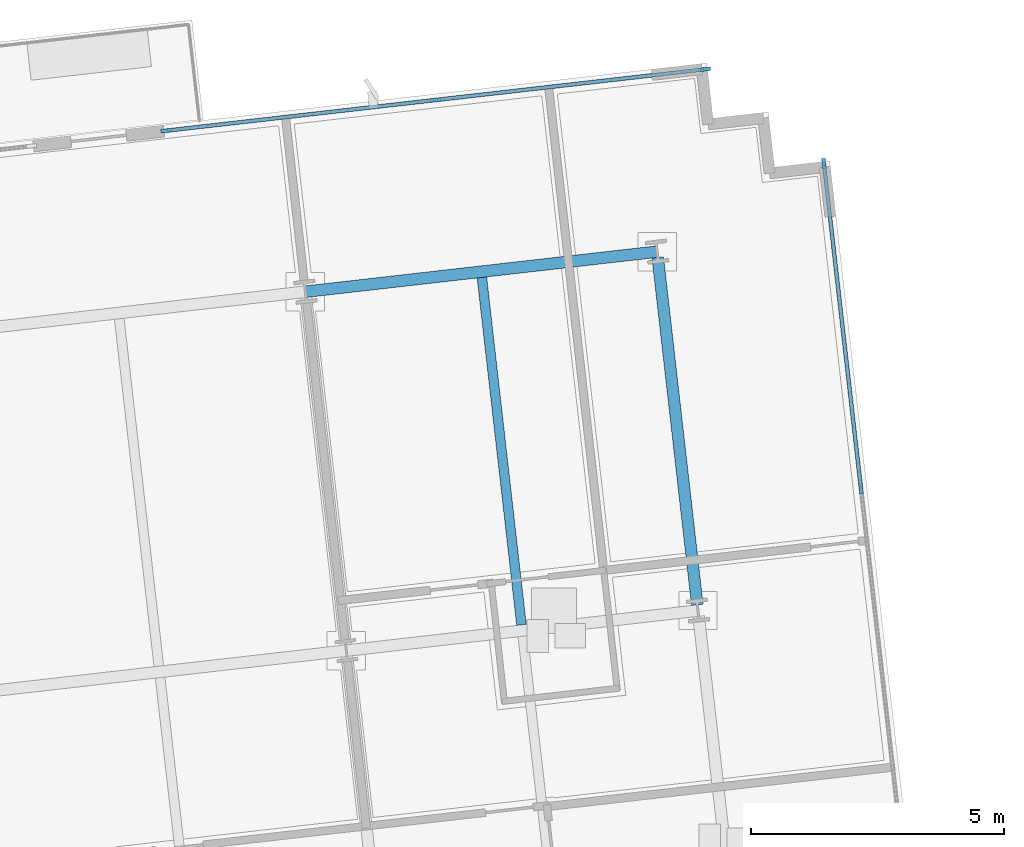
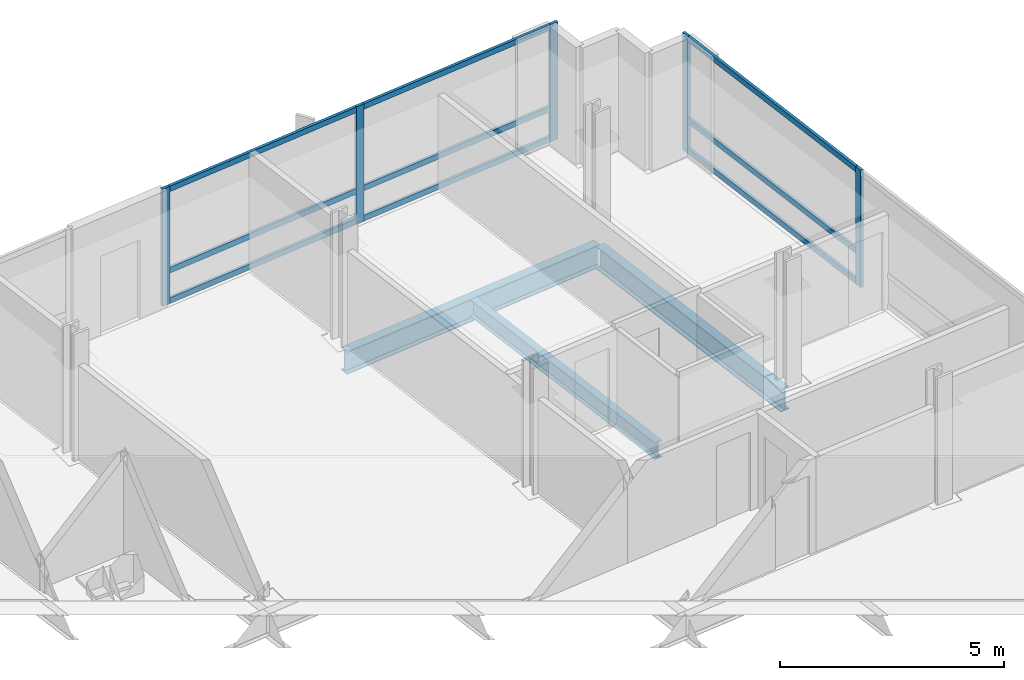
# One storey, part 6 of 16: 14 members, 3 beams, 2 elements without a shape of their own.
"""IFC4 building model written with IfcOpenShell, lengths in metres."""

from ifc_helpers import new_model, si_unit, direction, frame, origin, origin_2d, place, context, subcontext, project, spatial, rectangle, i_section, extrude, material, material_profile, profile_set, type_object, element, aggregate, save


model = new_model("IFC4")

# Units and contexts
model_context = context("Model", 3, precision=1e-05, world=origin(), true_north=direction((0.0, 1.0)))
body_context = subcontext(model_context, "Body", "Model", "MODEL_VIEW")
ifc_project = project(units=[si_unit("LENGTHUNIT", "METRE"), si_unit("AREAUNIT", "SQUARE_METRE"), si_unit("VOLUMEUNIT", "CUBIC_METRE"), si_unit("PLANEANGLEUNIT", "RADIAN"), si_unit("MASSUNIT", "GRAM", prefix="KILO")], contexts=[model_context])

# Site, building, storey
site_placement = place(None, origin())
site = spatial("IfcSite", under=ifc_project, at=site_placement, CompositionType="ELEMENT")
building_placement = place(site_placement, origin())
building = spatial("IfcBuilding", under=site, at=building_placement, Name="Solmavex Isthmus Hotel", CompositionType="ELEMENT")
storey_placement = place(building_placement, frame((0.0, 0.0, 205.5)))
storey = spatial("IfcBuildingStorey", under=building, at=storey_placement, Name="L55", CompositionType="ELEMENT", Elevation=205.5)

# Beams
ifc_material_1 = material(Name="Steel ASTM A992 Grade 50", Category="steel")
ifc_material_profile_1 = material_profile(ifc_material_1, i_section(OverallWidth=0.1904296875, OverallDepth=0.456787109375, WebThickness=0.009033203125, FlangeThickness=0.014404296875, FilletRadius=0.0126953125, at=origin_2d()), Name="W18X50")
ifc_profile_set_1 = profile_set([ifc_material_profile_1], Name="Steel ASTM A992 Grade 50")
beam_type_1 = type_object("IfcBeamType", Name="BM-BJ-W18X50", PredefinedType="JOIST", material=ifc_profile_set_1)
beam_1_placement = place(storey_placement, frame((21.587646484375, 11.7939453125, -0.488525390625), z_axis=(-0.113202453846, 0.993571942258, 0.0), x_axis=(-0.993571942258, -0.113202453846, 0.0)))
element("IfcBeam", 1, at=beam_1_placement, inside=storey, type_object=beam_type_1, Name="Secondary Floor Joist L55-J21", PredefinedType="JOIST", context=body_context, shape_type="SweptSolid", body=[
    extrude(i_section(OverallWidth=0.1904296875, OverallDepth=0.456787109375, WebThickness=0.009033203125, FlangeThickness=0.014404296875, FilletRadius=0.0126953125, at=origin_2d()), origin(), (0.0, 0.0, 1.0), 6.9228515625),
])
ifc_material_profile_2 = material_profile(ifc_material_1, i_section(OverallWidth=0.230224609375, OverallDepth=0.617431640625, WebThickness=0.01318359375, FlangeThickness=0.022216796875, FilletRadius=0.01513671875, at=origin_2d()), Name="W24X94")
ifc_profile_set_2 = profile_set([ifc_material_profile_2], Name="Steel ASTM A992 Grade 50")
beam_type_2 = type_object("IfcBeamType", Name="BM-SP-W24X94", PredefinedType="SPANDREL", material=ifc_profile_set_2)
beam_2_placement = place(storey_placement, frame((17.3095703125, 18.39013671875, -0.56884765625), z_axis=(0.99357359356, 0.113187959519, 0.0), x_axis=(-0.113187959519, 0.99357359356, 0.0)))
element("IfcBeam", 2, at=beam_2_placement, inside=storey, type_object=beam_type_2, Name="Floor Girder L55-UG23", PredefinedType="SPANDREL", context=body_context, shape_type="SweptSolid", body=[
    extrude(i_section(OverallWidth=0.230224609375, OverallDepth=0.617431640625, WebThickness=0.01318359375, FlangeThickness=0.022216796875, FilletRadius=0.01513671875, at=origin_2d()), origin(), (0.0, 0.0, 1.0), 7.0078125),
])
beam_3_placement = place(storey_placement, frame((25.0693359375, 12.1904296875, -0.56884765625), z_axis=(-0.113202453846, 0.993571942258, 0.0), x_axis=(-0.993571942258, -0.113202453846, 0.0)))
element("IfcBeam", 3, at=beam_3_placement, inside=storey, type_object=beam_type_2, Name="Floor Beam L55-VG45", PredefinedType="SPANDREL", context=body_context, shape_type="SweptSolid", body=[
    extrude(i_section(OverallWidth=0.230224609375, OverallDepth=0.617431640625, WebThickness=0.01318359375, FlangeThickness=0.022216796875, FilletRadius=0.01513671875, at=origin_2d()), origin(), (0.0, 0.0, 1.0), 6.9228515625),
])

# Curtain wall, members
ifc_material_2 = material(Name="Aluminium alloy 6063-T6", Category="aluminium")
curtain_wall_type = type_object("IfcCurtainWallType", Name="CW-SYS-04", PredefinedType="NOTDEFINED", material=ifc_material_2)
curtain_wall_1_placement = place(storey_placement, origin())
curtain_wall_1 = element("IfcCurtainWall", 4, at=curtain_wall_1_placement, inside=storey, type_object=curtain_wall_type, Name="Stick Curtain Wall CWL-L55-N3", PredefinedType="NOTDEFINED")
ifc_material_profile_3 = material_profile(ifc_material_2, rectangle(XDim=0.074951171875, YDim=0.199951171875, at=origin_2d()), Name="CWM-75X200")
ifc_profile_set_3 = profile_set([ifc_material_profile_3], Name="Aluminium alloy 6063-T6")
member_type_1 = type_object("IfcMemberType", Name="CW-SYS-04-MUL", PredefinedType="MULLION", material=ifc_profile_set_3)
member_1_placement = place(storey_placement, frame((14.54541015625, 21.57763671875, 0.0), z_axis=(0.0, 0.0, 1.0), x_axis=(-0.113203726319, 0.993571797279, 0.0)))
member_1 = element("IfcMember", 5, at=member_1_placement, type_object=member_type_1, Name="CW-04 mullion 1", PredefinedType="MULLION", context=body_context, shape_type="SweptSolid", body=[
    extrude(rectangle(XDim=0.074951171875, YDim=0.199951171875, at=origin_2d()), origin(), (0.0, 0.0, 1.0), 3.18994140625),
])
member_2_placement = place(storey_placement, frame((19.888916015625, 22.1865234375, 0.0), z_axis=(0.0, 0.0, 1.0), x_axis=(-0.113203726319, 0.993571797279, 0.0)))
member_2 = element("IfcMember", 6, at=member_2_placement, type_object=member_type_1, Name="CW-04 mullion 2", PredefinedType="MULLION", context=body_context, shape_type="SweptSolid", body=[
    extrude(rectangle(XDim=0.074951171875, YDim=0.199951171875, at=origin_2d()), origin(), (0.0, 0.0, 1.0), 3.18994140625),
])
member_3_placement = place(storey_placement, frame((25.232177734375, 22.795166015625, 0.0), z_axis=(0.0, 0.0, 1.0), x_axis=(-0.113203726319, 0.993571797279, 0.0)))
member_3 = element("IfcMember", 7, at=member_3_placement, type_object=member_type_1, Name="CW-04 mullion 3", PredefinedType="MULLION", context=body_context, shape_type="SweptSolid", body=[
    extrude(rectangle(XDim=0.074951171875, YDim=0.199951171875, at=origin_2d()), origin(), (0.0, 0.0, 1.0), 3.18994140625),
])

curtain_wall_2_placement = place(storey_placement, origin())
curtain_wall_2 = element("IfcCurtainWall", 8, at=curtain_wall_2_placement, inside=storey, type_object=curtain_wall_type, Name="Stick Curtain Wall CWL-L55-E1", PredefinedType="NOTDEFINED")
member_4_placement = place(storey_placement, frame((28.309814453125, 14.490234375, 0.0), z_axis=(0.0, 0.0, 1.0), x_axis=(-0.993571836648, -0.11320338078, 0.0)))
member_4 = element("IfcMember", 9, at=member_4_placement, type_object=member_type_1, Name="CW-04 mullion 5", PredefinedType="MULLION", context=body_context, shape_type="SweptSolid", body=[
    extrude(rectangle(XDim=0.074951171875, YDim=0.199951171875, at=origin_2d()), origin(), (0.0, 0.0, 1.0), 3.18994140625),
])
member_5_placement = place(storey_placement, frame((27.575927734375, 20.93115234375, 0.0), z_axis=(0.0, 0.0, 1.0), x_axis=(-0.993571836648, -0.11320338078, 0.0)))
member_5 = element("IfcMember", 10, at=member_5_placement, type_object=member_type_1, Name="CW-04 mullion 6", PredefinedType="MULLION", context=body_context, shape_type="SweptSolid", body=[
    extrude(rectangle(XDim=0.074951171875, YDim=0.199951171875, at=origin_2d()), origin(), (0.0, 0.0, 1.0), 3.18994140625),
])

# Member
ifc_material_profile_4 = material_profile(ifc_material_2, rectangle(XDim=0.074951171875, YDim=0.14990234375, at=origin_2d()), Name="CWT-75X150")
ifc_profile_set_4 = profile_set([ifc_material_profile_4], Name="Aluminium alloy 6063-T6")
member_type_2 = type_object("IfcMemberType", Name="CW-SYS-04-TRN", PredefinedType="USERDEFINED", material=ifc_profile_set_4)
member_6_placement = place(storey_placement, frame((14.582763671875, 21.581787109375, 0.074951171875), z_axis=(0.993571049718, 0.113210287348, 0.0), x_axis=(-0.113210287348, 0.993571049718, 0.0)))
member_6 = element("IfcMember", 11, at=member_6_placement, type_object=member_type_2, Name="CW-04 transom 1.1", ObjectType="TRANSOM", PredefinedType="USERDEFINED", context=body_context, shape_type="SweptSolid", body=[
    extrude(rectangle(XDim=0.074951171875, YDim=0.14990234375, at=origin_2d()), origin(), (0.0, 0.0, 1.0), 5.302978515625),
])

member_7_placement = place(storey_placement, frame((14.582763671875, 21.581787109375, 0.89990234375), z_axis=(0.993571049718, 0.113210287348, 0.0), x_axis=(-0.113210287348, 0.993571049718, 0.0)))
member_7 = element("IfcMember", 12, at=member_7_placement, type_object=member_type_2, Name="CW-04 transom 1.2", ObjectType="TRANSOM", PredefinedType="USERDEFINED", context=body_context, shape_type="SweptSolid", body=[
    extrude(rectangle(XDim=0.074951171875, YDim=0.14990234375, at=origin_2d()), origin(), (0.0, 0.0, 1.0), 5.302978515625),
])

member_8_placement = place(storey_placement, frame((14.582763671875, 21.581787109375, 3.114990234375), z_axis=(0.993571049718, 0.113210287348, 0.0), x_axis=(-0.113210287348, 0.993571049718, 0.0)))
member_8 = element("IfcMember", 13, at=member_8_placement, type_object=member_type_2, Name="CW-04 transom 1.3", ObjectType="TRANSOM", PredefinedType="USERDEFINED", context=body_context, shape_type="SweptSolid", body=[
    extrude(rectangle(XDim=0.074951171875, YDim=0.14990234375, at=origin_2d()), origin(), (0.0, 0.0, 1.0), 5.302978515625),
])

member_9_placement = place(storey_placement, frame((19.926025390625, 22.190673828125, 0.074951171875), z_axis=(0.993571639742, 0.113205108986, 0.0), x_axis=(-0.113205108986, 0.993571639742, 0.0)))
member_9 = element("IfcMember", 14, at=member_9_placement, type_object=member_type_2, Name="CW-04 transom 2.1", ObjectType="TRANSOM", PredefinedType="USERDEFINED", context=body_context, shape_type="SweptSolid", body=[
    extrude(rectangle(XDim=0.074951171875, YDim=0.14990234375, at=origin_2d()), origin(), (0.0, 0.0, 1.0), 5.30322265625),
])

member_10_placement = place(storey_placement, frame((19.926025390625, 22.190673828125, 0.89990234375), z_axis=(0.993571639742, 0.113205108986, 0.0), x_axis=(-0.113205108986, 0.993571639742, 0.0)))
member_10 = element("IfcMember", 15, at=member_10_placement, type_object=member_type_2, Name="CW-04 transom 2.2", ObjectType="TRANSOM", PredefinedType="USERDEFINED", context=body_context, shape_type="SweptSolid", body=[
    extrude(rectangle(XDim=0.074951171875, YDim=0.14990234375, at=origin_2d()), origin(), (0.0, 0.0, 1.0), 5.30322265625),
])

member_11_placement = place(storey_placement, frame((19.926025390625, 22.190673828125, 3.114990234375), z_axis=(0.993571639742, 0.113205108986, 0.0), x_axis=(-0.113205108986, 0.993571639742, 0.0)))
member_11 = element("IfcMember", 16, at=member_11_placement, type_object=member_type_2, Name="CW-04 transom 2.3", ObjectType="TRANSOM", PredefinedType="USERDEFINED", context=body_context, shape_type="SweptSolid", body=[
    extrude(rectangle(XDim=0.074951171875, YDim=0.14990234375, at=origin_2d()), origin(), (0.0, 0.0, 1.0), 5.30322265625),
])

aggregate(curtain_wall_1, [member_1, member_2, member_3, member_6, member_7, member_8, member_9, member_10, member_11])

member_12_placement = place(storey_placement, frame((28.305419921875, 14.527587890625, 0.074951171875), z_axis=(-0.113203780919, 0.993571791058, 0.0), x_axis=(-0.993571791058, -0.113203780919, 0.0)))
member_12 = element("IfcMember", 17, at=member_12_placement, type_object=member_type_2, Name="CW-04 transom 5.1", ObjectType="TRANSOM", PredefinedType="USERDEFINED", context=body_context, shape_type="SweptSolid", body=[
    extrude(rectangle(XDim=0.074951171875, YDim=0.14990234375, at=origin_2d()), origin(), (0.0, 0.0, 1.0), 6.407470703125),
])

member_13_placement = place(storey_placement, frame((28.305419921875, 14.527587890625, 0.89990234375), z_axis=(-0.113203780919, 0.993571791058, 0.0), x_axis=(-0.993571791058, -0.113203780919, 0.0)))
member_13 = element("IfcMember", 18, at=member_13_placement, type_object=member_type_2, Name="CW-04 transom 5.2", ObjectType="TRANSOM", PredefinedType="USERDEFINED", context=body_context, shape_type="SweptSolid", body=[
    extrude(rectangle(XDim=0.074951171875, YDim=0.14990234375, at=origin_2d()), origin(), (0.0, 0.0, 1.0), 6.407470703125),
])

member_14_placement = place(storey_placement, frame((28.305419921875, 14.527587890625, 3.114990234375), z_axis=(-0.113203780919, 0.993571791058, 0.0), x_axis=(-0.993571791058, -0.113203780919, 0.0)))
member_14 = element("IfcMember", 19, at=member_14_placement, type_object=member_type_2, Name="CW-04 transom 5.3", ObjectType="TRANSOM", PredefinedType="USERDEFINED", context=body_context, shape_type="SweptSolid", body=[
    extrude(rectangle(XDim=0.074951171875, YDim=0.14990234375, at=origin_2d()), origin(), (0.0, 0.0, 1.0), 6.407470703125),
])

aggregate(curtain_wall_2, [member_4, member_5, member_12, member_13, member_14])

save(model, "model.ifc")
